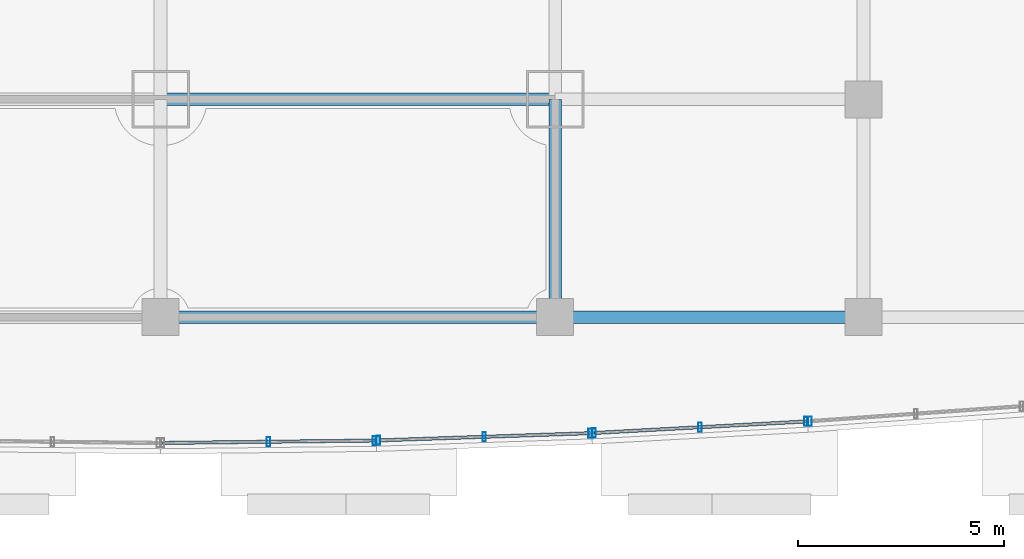
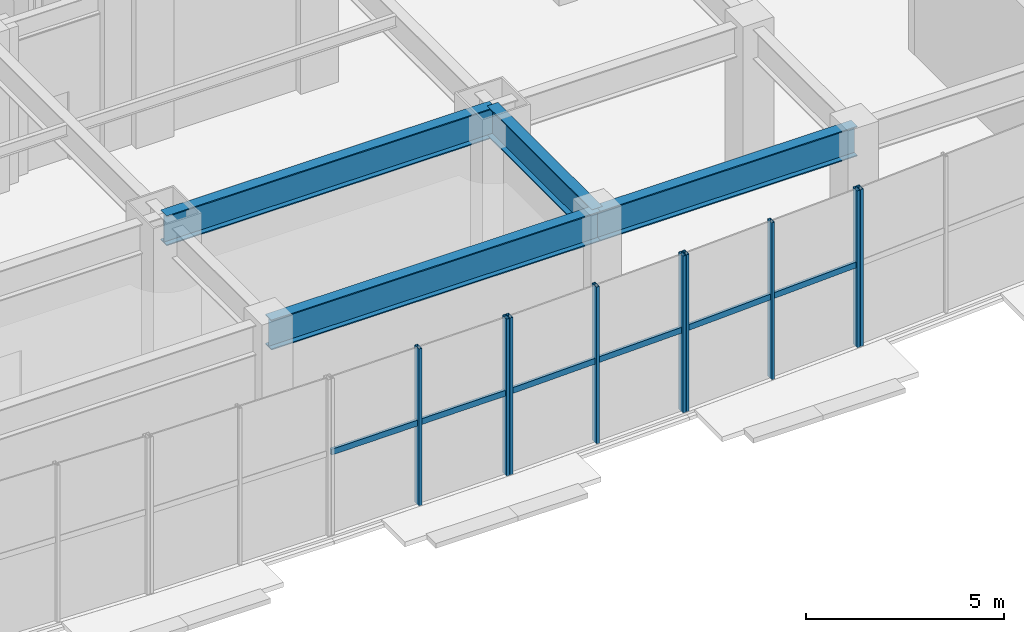
# One storey, part 7 of 24: 12 members, 4 beams, 4 elements without a shape of their own.
"""IFC4 building model written with IfcOpenShell, lengths in metres."""

from ifc_helpers import new_model, si_unit, direction, frame, origin, origin_2d, place, context, subcontext, project, spatial, hollow_rectangle, i_section, extrude, material, layer, layer_set, material_profile, profile_set, type_object, element, aggregate, save


model = new_model("IFC4")

# Units and contexts
model_context = context("Model", 3, precision=1e-05, world=origin(), true_north=direction((0.0, 1.0)))
body_context = subcontext(model_context, "Body", "Model", "MODEL_VIEW")
ifc_project = project(units=[si_unit("LENGTHUNIT", "METRE"), si_unit("AREAUNIT", "SQUARE_METRE"), si_unit("VOLUMEUNIT", "CUBIC_METRE"), si_unit("PLANEANGLEUNIT", "RADIAN"), si_unit("MASSUNIT", "GRAM", prefix="KILO")], contexts=[model_context])

# Site, building, storey
site_placement = place(None, origin())
site = spatial("IfcSite", under=ifc_project, at=site_placement, CompositionType="ELEMENT")
building_placement = place(site_placement, origin())
building = spatial("IfcBuilding", under=site, at=building_placement, Name="Vantalir Tower", CompositionType="ELEMENT")
storey_placement = place(building_placement, frame((0.0, 0.0, 6.0)))
storey = spatial("IfcBuildingStorey", under=building, at=storey_placement, Name="L01", CompositionType="ELEMENT", Elevation=6.0)

# Beams
ifc_material_1 = material(Name="Steel S355", Category="steel")
ifc_material_profile_1 = material_profile(ifc_material_1, i_section(OverallWidth=0.30810546875, OverallDepth=0.927001953125, WebThickness=0.01953125, FlangeThickness=0.031982421875, at=origin_2d()), Name="Steel S355")
ifc_profile_set_1 = profile_set([ifc_material_profile_1], Name="Steel S355")
beam_type = type_object("IfcBeamType", Name="BM-PG-914x305", PredefinedType="USERDEFINED", material=ifc_profile_set_1)
beam_1_placement = place(storey_placement, frame((31.5, 3.199951171875, 4.35595703125), z_axis=(1.0, 0.0, 0.0), x_axis=(0.0, 1.0, 0.0)))
element("IfcBeam", 1, at=beam_1_placement, inside=storey, type_object=beam_type, Name="Level 01 Podium E-W Girder 04", ObjectType="GIRDER", PredefinedType="USERDEFINED", context=body_context, shape_type="SweptSolid", body=[
    extrude(i_section(OverallWidth=0.30810546875, OverallDepth=0.927001953125, WebThickness=0.01953125, FlangeThickness=0.031982421875, at=origin_2d()), origin(), (0.0, 0.0, 1.0), 9.60009765625),
])
beam_2_placement = place(storey_placement, frame((41.10009765625, 3.199951171875, 4.35595703125), z_axis=(1.0, 0.0, 0.0), x_axis=(0.0, 1.0, 0.0)))
element("IfcBeam", 2, at=beam_2_placement, inside=storey, type_object=beam_type, Name="Level 01 Podium E-W Girder 05", ObjectType="GIRDER", PredefinedType="USERDEFINED", context=body_context, shape_type="SweptSolid", body=[
    extrude(i_section(OverallWidth=0.30810546875, OverallDepth=0.927001953125, WebThickness=0.01953125, FlangeThickness=0.031982421875, at=origin_2d()), origin(), (0.0, 0.0, 1.0), 7.5),
])
beam_3_placement = place(storey_placement, frame((31.5, 8.5, 4.35595703125), z_axis=(1.0, 0.0, 0.0), x_axis=(0.0, 1.0, 0.0)))
element("IfcBeam", 3, at=beam_3_placement, inside=storey, type_object=beam_type, Name="Level 01 Podium E-W Girder 10", ObjectType="GIRDER", PredefinedType="USERDEFINED", context=body_context, shape_type="SweptSolid", body=[
    extrude(i_section(OverallWidth=0.30810546875, OverallDepth=0.927001953125, WebThickness=0.01953125, FlangeThickness=0.031982421875, at=origin_2d()), origin(), (0.0, 0.0, 1.0), 9.60009765625),
])
beam_4_placement = place(storey_placement, frame((41.10009765625, 3.199951171875, 4.35595703125), z_axis=(0.0, 1.0, 0.0), x_axis=(-1.0, 0.0, 0.0)))
element("IfcBeam", 4, at=beam_4_placement, inside=storey, type_object=beam_type, Name="Level 01 Podium N-S Girder 67", ObjectType="GIRDER", PredefinedType="USERDEFINED", context=body_context, shape_type="SweptSolid", body=[
    extrude(i_section(OverallWidth=0.30810546875, OverallDepth=0.927001953125, WebThickness=0.01953125, FlangeThickness=0.031982421875, at=origin_2d()), origin(), (0.0, 0.0, 1.0), 5.300048828125),
])

# Curtain wall, members
ifc_material_2 = material(Name="Champagne-silver PVDF aluminium and double-silver Low-E glass", Category="aluminium")
ifc_layer = layer(ifc_material_2, 0.239990234375)
ifc_layer_set = layer_set([ifc_layer], Name="Champagne-silver PVDF aluminium and double-silver Low-E glass")
curtain_wall_type = type_object("IfcCurtainWallType", Name="CW-PODIUM-WF", PredefinedType="USERDEFINED", material=ifc_layer_set)
curtain_wall_1_placement = place(storey_placement, origin())
curtain_wall_1 = element("IfcCurtainWall", 5, at=curtain_wall_1_placement, inside=storey, type_object=curtain_wall_type, Name="Level 01 Waterfront Stick Curtain Wall 07", ObjectType="STICK CURTAIN WALL", PredefinedType="USERDEFINED")
ifc_material_3 = material(Name="Champagne-silver PVDF aluminium 6063-T6", Category="aluminium")
ifc_material_profile_2 = material_profile(ifc_material_3, hollow_rectangle(XDim=0.0849609375, YDim=0.219970703125, WallThickness=0.0048828125, at=origin_2d()), Name="Champagne-silver PVDF aluminium 6063-T6")
ifc_profile_set_2 = profile_set([ifc_material_profile_2], Name="Champagne-silver PVDF aluminium 6063-T6")
member_type_1 = type_object("IfcMemberType", Name="CWM-220x85", PredefinedType="MULLION", material=ifc_profile_set_2)
member_1_placement = place(storey_placement, frame((34.125, 0.169921875, -0.011962890625), z_axis=(0.0, 0.0, 1.0), x_axis=(1.0, 0.0, 0.0)))
member_1 = element("IfcMember", 6, at=member_1_placement, type_object=member_type_1, Name="CW-L01-WF-07 Mullion 2", PredefinedType="MULLION", context=body_context, shape_type="SweptSolid", body=[
    extrude(hollow_rectangle(XDim=0.0849609375, YDim=0.219970703125, WallThickness=0.0048828125, at=origin_2d()), origin(), (0.0, 0.0, 1.0), 4.843994140625),
])
member_2_placement = place(storey_placement, frame((36.699951171875, 0.199951171875, -0.011962890625), z_axis=(0.0, 0.0, 1.0), x_axis=(1.0, 0.0, 0.0)))
member_2 = element("IfcMember", 7, at=member_2_placement, type_object=member_type_1, Name="CW-L01-WF-07 Mullion 3", PredefinedType="MULLION", context=body_context, shape_type="SweptSolid", body=[
    extrude(hollow_rectangle(XDim=0.0849609375, YDim=0.219970703125, WallThickness=0.0048828125, at=origin_2d()), origin(), (0.0, 0.0, 1.0), 4.843994140625),
])

curtain_wall_2_placement = place(storey_placement, origin())
curtain_wall_2 = element("IfcCurtainWall", 8, at=curtain_wall_2_placement, inside=storey, type_object=curtain_wall_type, Name="Level 01 Waterfront Stick Curtain Wall 08", ObjectType="STICK CURTAIN WALL", PredefinedType="USERDEFINED")
member_3_placement = place(storey_placement, frame((36.800048828125, 0.202880859375, -0.011962890625), z_axis=(0.0, 0.0, 1.0), x_axis=(1.0, 0.0, 0.0)))
member_3 = element("IfcMember", 9, at=member_3_placement, type_object=member_type_1, Name="CW-L01-WF-08 Mullion 1", PredefinedType="MULLION", context=body_context, shape_type="SweptSolid", body=[
    extrude(hollow_rectangle(XDim=0.0849609375, YDim=0.219970703125, WallThickness=0.0048828125, at=origin_2d()), origin(), (0.0, 0.0, 1.0), 4.843994140625),
])
member_4_placement = place(storey_placement, frame((39.375, 0.291015625, -0.011962890625), z_axis=(0.0, 0.0, 1.0), x_axis=(1.0, 0.0, 0.0)))
member_4 = element("IfcMember", 10, at=member_4_placement, type_object=member_type_1, Name="CW-L01-WF-08 Mullion 2", PredefinedType="MULLION", context=body_context, shape_type="SweptSolid", body=[
    extrude(hollow_rectangle(XDim=0.0849609375, YDim=0.219970703125, WallThickness=0.0048828125, at=origin_2d()), origin(), (0.0, 0.0, 1.0), 4.843994140625),
])
member_5_placement = place(storey_placement, frame((41.949951171875, 0.37890625, -0.011962890625), z_axis=(0.0, 0.0, 1.0), x_axis=(1.0, 0.0, 0.0)))
member_5 = element("IfcMember", 11, at=member_5_placement, type_object=member_type_1, Name="CW-L01-WF-08 Mullion 3", PredefinedType="MULLION", context=body_context, shape_type="SweptSolid", body=[
    extrude(hollow_rectangle(XDim=0.0849609375, YDim=0.219970703125, WallThickness=0.0048828125, at=origin_2d()), origin(), (0.0, 0.0, 1.0), 4.843994140625),
])

curtain_wall_3_placement = place(storey_placement, origin())
curtain_wall_3 = element("IfcCurtainWall", 12, at=curtain_wall_3_placement, inside=storey, type_object=curtain_wall_type, Name="Level 01 Waterfront Stick Curtain Wall 09", ObjectType="STICK CURTAIN WALL", PredefinedType="USERDEFINED")
member_6_placement = place(storey_placement, frame((42.050048828125, 0.384033203125, -0.011962890625), z_axis=(0.0, 0.0, 1.0), x_axis=(1.0, 0.0, 0.0)))
member_6 = element("IfcMember", 13, at=member_6_placement, type_object=member_type_1, Name="CW-L01-WF-09 Mullion 1", PredefinedType="MULLION", context=body_context, shape_type="SweptSolid", body=[
    extrude(hollow_rectangle(XDim=0.0849609375, YDim=0.219970703125, WallThickness=0.0048828125, at=origin_2d()), origin(), (0.0, 0.0, 1.0), 4.843994140625),
])
member_7_placement = place(storey_placement, frame((44.625, 0.52392578125, -0.011962890625), z_axis=(0.0, 0.0, 1.0), x_axis=(1.0, 0.0, 0.0)))
member_7 = element("IfcMember", 14, at=member_7_placement, type_object=member_type_1, Name="CW-L01-WF-09 Mullion 2", PredefinedType="MULLION", context=body_context, shape_type="SweptSolid", body=[
    extrude(hollow_rectangle(XDim=0.0849609375, YDim=0.219970703125, WallThickness=0.0048828125, at=origin_2d()), origin(), (0.0, 0.0, 1.0), 4.843994140625),
])
member_8_placement = place(storey_placement, frame((47.199951171875, 0.6640625, -0.011962890625), z_axis=(0.0, 0.0, 1.0), x_axis=(1.0, 0.0, 0.0)))
member_8 = element("IfcMember", 15, at=member_8_placement, type_object=member_type_1, Name="CW-L01-WF-09 Mullion 3", PredefinedType="MULLION", context=body_context, shape_type="SweptSolid", body=[
    extrude(hollow_rectangle(XDim=0.0849609375, YDim=0.219970703125, WallThickness=0.0048828125, at=origin_2d()), origin(), (0.0, 0.0, 1.0), 4.843994140625),
])

# Curtain wall, member
curtain_wall_4_placement = place(storey_placement, origin())
curtain_wall_4 = element("IfcCurtainWall", 16, at=curtain_wall_4_placement, inside=storey, type_object=curtain_wall_type, Name="Level 01 Waterfront Stick Curtain Wall 10", ObjectType="STICK CURTAIN WALL", PredefinedType="USERDEFINED")
member_9_placement = place(storey_placement, frame((47.300048828125, 0.6708984375, -0.011962890625), z_axis=(0.0, 0.0, 1.0), x_axis=(1.0, 0.0, 0.0)))
member_9 = element("IfcMember", 17, at=member_9_placement, type_object=member_type_1, Name="CW-L01-WF-10 Mullion 1", PredefinedType="MULLION", context=body_context, shape_type="SweptSolid", body=[
    extrude(hollow_rectangle(XDim=0.0849609375, YDim=0.219970703125, WallThickness=0.0048828125, at=origin_2d()), origin(), (0.0, 0.0, 1.0), 4.843994140625),
])
aggregate(curtain_wall_4, [member_9])

# Member
ifc_material_profile_3 = material_profile(ifc_material_3, hollow_rectangle(XDim=0.080078125, YDim=0.179931640625, WallThickness=0.0048828125, at=origin_2d()), Name="Champagne-silver PVDF aluminium 6063-T6")
ifc_profile_set_3 = profile_set([ifc_material_profile_3], Name="Champagne-silver PVDF aluminium 6063-T6")
member_type_2 = type_object("IfcMemberType", Name="CWT-180x80", PredefinedType="USERDEFINED", material=ifc_profile_set_3)
member_10_placement = place(storey_placement, frame((31.550048828125, 0.14111328125, 2.506103515625), z_axis=(0.999934740508, 0.011424304184, 0.0), x_axis=(-0.011424304184, 0.999934740508, 0.0)))
member_10 = element("IfcMember", 18, at=member_10_placement, type_object=member_type_2, Name="CW-L01-WF-07 Transom 1", ObjectType="TRANSOM", PredefinedType="USERDEFINED", context=body_context, shape_type="SweptSolid", body=[
    extrude(hollow_rectangle(XDim=0.080078125, YDim=0.179931640625, WallThickness=0.0048828125, at=origin_2d()), origin(), (0.0, 0.0, 1.0), 5.150146484375),
])

aggregate(curtain_wall_1, [member_1, member_2, member_10])

member_11_placement = place(storey_placement, frame((36.800048828125, 0.202880859375, 2.506103515625), z_axis=(0.999416363673, 0.034160386755, 0.0), x_axis=(-0.034160386755, 0.999416363673, 0.0)))
member_11 = element("IfcMember", 19, at=member_11_placement, type_object=member_type_2, Name="CW-L01-WF-08 Transom 1", ObjectType="TRANSOM", PredefinedType="USERDEFINED", context=body_context, shape_type="SweptSolid", body=[
    extrude(hollow_rectangle(XDim=0.080078125, YDim=0.179931640625, WallThickness=0.0048828125, at=origin_2d()), origin(), (0.0, 0.0, 1.0), 5.15283203125),
])

aggregate(curtain_wall_2, [member_3, member_4, member_5, member_11])

member_12_placement = place(storey_placement, frame((42.050048828125, 0.384033203125, 2.506103515625), z_axis=(0.99852491449, 0.054295443108, 0.0), x_axis=(-0.054295443108, 0.99852491449, 0.0)))
member_12 = element("IfcMember", 20, at=member_12_placement, type_object=member_type_2, Name="CW-L01-WF-09 Transom 1", ObjectType="TRANSOM", PredefinedType="USERDEFINED", context=body_context, shape_type="SweptSolid", body=[
    extrude(hollow_rectangle(XDim=0.080078125, YDim=0.179931640625, WallThickness=0.0048828125, at=origin_2d()), origin(), (0.0, 0.0, 1.0), 5.157470703125),
])

aggregate(curtain_wall_3, [member_6, member_7, member_8, member_12])

save(model, "model.ifc")
